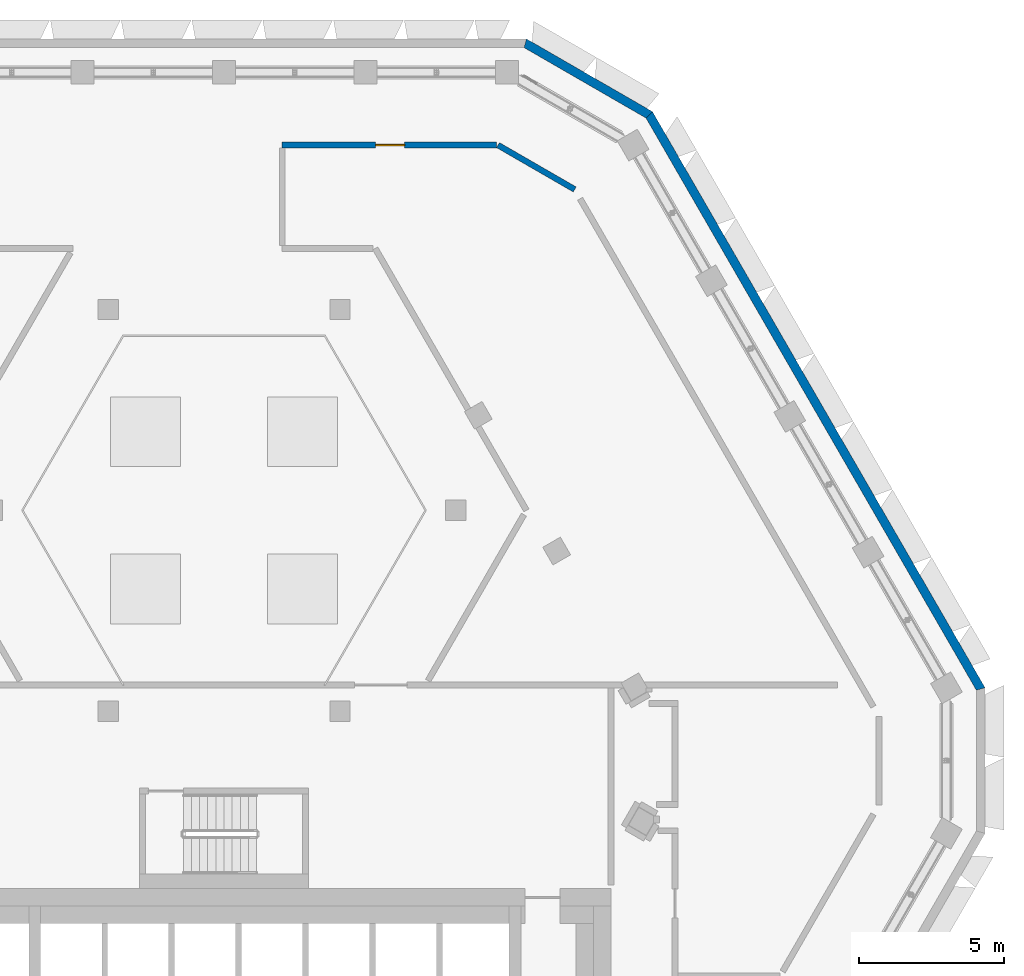
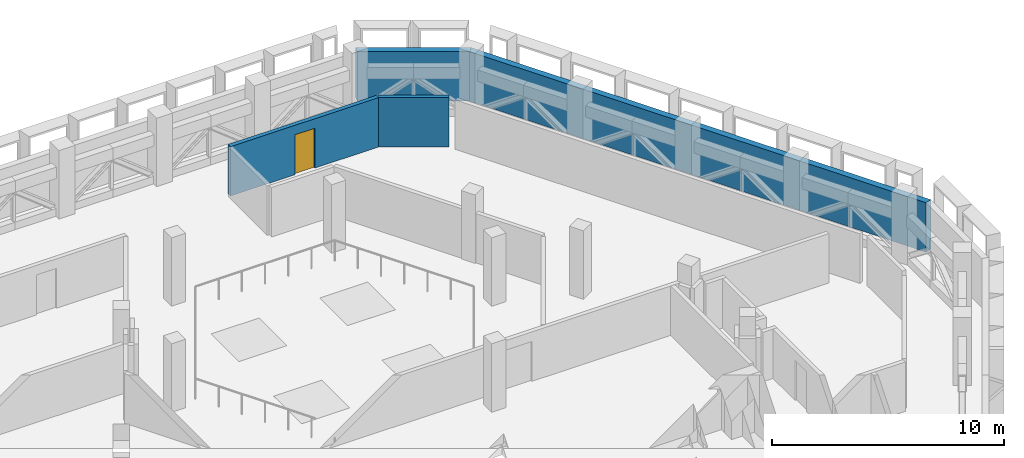
# One storey, part 14 of 24: 4 walls, 1 door, 1 opening.
"""IFC4 building model written with IfcOpenShell, lengths in metres."""

from ifc_helpers import new_model, si_unit, direction, frame, frame_2d, origin, place, context, subcontext, project, spatial, polyline, rectangle, outline, extrude, material, layer, layer_set, type_object, element, fill, save


model = new_model("IFC4")

# Units and contexts
model_context = context("Model", 3, precision=1e-05, world=origin(), true_north=direction((0.0, 1.0)))
body_context = subcontext(model_context, "Body", "Model", "MODEL_VIEW")
ifc_project = project(units=[si_unit("LENGTHUNIT", "METRE"), si_unit("AREAUNIT", "SQUARE_METRE"), si_unit("VOLUMEUNIT", "CUBIC_METRE"), si_unit("PLANEANGLEUNIT", "RADIAN"), si_unit("MASSUNIT", "GRAM", prefix="KILO")], contexts=[model_context])

# Site, building, storey
site_placement = place(None, origin())
site = spatial("IfcSite", under=ifc_project, at=site_placement, CompositionType="ELEMENT")
building_placement = place(site_placement, origin())
building = spatial("IfcBuilding", under=site, at=building_placement, Name="Beryl Residences", CompositionType="ELEMENT")
storey_placement = place(building_placement, frame((0.0, 0.0, 199.199951171875)))
storey = spatial("IfcBuildingStorey", under=building, at=storey_placement, Name="L61", CompositionType="ELEMENT", Elevation=199.199951171875)

# Walls
ifc_material_1 = material(Name="Composite metal panel with mineral wool insulation")
ifc_layer_1 = layer(ifc_material_1, 0.300048828125)
ifc_layer_set_1 = layer_set([ifc_layer_1], Name="ES1 pale metal composite panel wall 300 mm")
wall_type_1 = type_object("IfcWallType", Name="ES1 pale metal composite panel wall 300 mm", PredefinedType="SOLIDWALL", material=ifc_layer_set_1)
wall_1_placement = place(storey_placement, frame((26.02392578125, 1.824951171875, 0.0), z_axis=(0.0, 0.0, 1.0), x_axis=(-0.500010537973, 0.866019319597, 0.0)))
element("IfcWall", 1, at=wall_1_placement, inside=storey, type_object=wall_type_1, Name="ES1 external wall L61 NE", PredefinedType="SOLIDWALL", context=body_context, shape_type="SweptSolid", body=[
    extrude(outline(polyline([(0.0, -0.14990234375), (22.86328125, -0.14990234375), (22.782958984375, 0.14990234375), (0.080322265625, 0.14990234375), (0.0, -0.14990234375)])), origin(), (0.0, 0.0, 1.0), 2.60009765625),
])
wall_2_placement = place(storey_placement, frame((14.64697265625, 21.570068359375, 0.0), z_axis=(0.0, 0.0, 1.0), x_axis=(-0.866022959057, 0.500004234368, 0.0)))
element("IfcWall", 2, at=wall_2_placement, inside=storey, type_object=wall_type_1, Name="ES1 external wall L61 NE-N", PredefinedType="SOLIDWALL", context=body_context, shape_type="SweptSolid", body=[
    extrude(outline(polyline([(0.0, -0.14990234375), (5.0, -0.14990234375), (4.919677734375, 0.14990234375), (0.080322265625, 0.14990234375), (0.0, -0.14990234375)])), origin(), (0.0, 0.0, 1.0), 2.60009765625),
])

# Wall, opening, door
ifc_material_2 = material(Name="Concrete C40/50", Category="concrete")
ifc_layer_2 = layer(ifc_material_2, 0.199951171875)
ifc_layer_set_2 = layer_set([ifc_layer_2], Name="PT9-200 plant room wall 200 mm")
wall_type_2 = type_object("IfcWallType", Name="PT9-200 plant room wall 200 mm", PredefinedType="SOLIDWALL", material=ifc_layer_set_2)
wall_3_placement = place(storey_placement, frame((2.0, 20.550048828125, 0.0), z_axis=(0.0, 0.0, 1.0), x_axis=(1.0, 0.0, 0.0)))
wall_3 = element("IfcWall", 3, at=wall_3_placement, inside=storey, type_object=wall_type_2, Name="Wall PT9-200 L61 008", PredefinedType="SOLIDWALL", context=body_context, shape_type="SweptSolid", body=[
    extrude(rectangle(XDim=7.364013671875, YDim=0.199951171875, at=frame_2d((3.68212890625, 0.0))), origin(), (0.0, 0.0, 1.0), 2.60009765625),
])
opening_placement = place(wall_3_placement, frame((4.20703125, 0.0, 0.0), z_axis=(0.0, 0.0, 1.0), x_axis=(-1.0, 0.0, 0.0)))
opening = element("IfcOpeningElement", 4, at=opening_placement, cuts=wall_3, Name="Opening L61-04", PredefinedType="OPENING", context=body_context, shape_type="SweptSolid", body=[
    extrude(rectangle(XDim=1.0, YDim=2.10009765625, at=frame_2d((0.5, 1.050048828125))), frame((0.0, 0.10986328125, 0.0), z_axis=(0.0, -1.0, 0.0), x_axis=(1.0, 0.0, 0.0)), (0.0, 0.0, 1.0), 0.219970703125),
])
ifc_material_3 = material(Name="Steel door leaf in steel frame", Category="steel")
door_type = type_object("IfcDoorType", Name="D16 plant room door 1000 x 2100 mm", OperationType="SINGLE_SWING_LEFT", PredefinedType="DOOR", material=ifc_material_3)
door_placement = place(opening_placement, origin())
door = element("IfcDoor", 5, at=door_placement, inside=storey, type_object=door_type, Name="Door L61-04 L61 001", OperationType="SINGLE_SWING_LEFT", OverallHeight=2.10009765625, OverallWidth=1.0, PredefinedType="DOOR", context=body_context, shape_type="SweptSolid", body=[
    extrude(rectangle(XDim=1.0, YDim=2.10009765625, at=frame_2d((0.5, 1.050048828125))), frame((0.0, 0.02490234375, 0.0), z_axis=(0.0, -1.0, 0.0), x_axis=(1.0, 0.0, 0.0)), (0.0, 0.0, 1.0), 0.050048828125),
])
fill(opening, door)

# Wall
wall_4_placement = place(storey_placement, frame((9.4140625, 20.550048828125, 0.0), z_axis=(0.0, 0.0, 1.0), x_axis=(0.866013277291, -0.500021003115, 0.0)))
element("IfcWall", 6, at=wall_4_placement, inside=storey, type_object=wall_type_2, Name="Wall PT9-200 L61 018", PredefinedType="SOLIDWALL", context=body_context, shape_type="SweptSolid", body=[
    extrude(rectangle(XDim=3.043701171875, YDim=0.199951171875, at=frame_2d((1.52197265625, 0.0))), origin(), (0.0, 0.0, 1.0), 2.60009765625),
])

save(model, "model.ifc")
